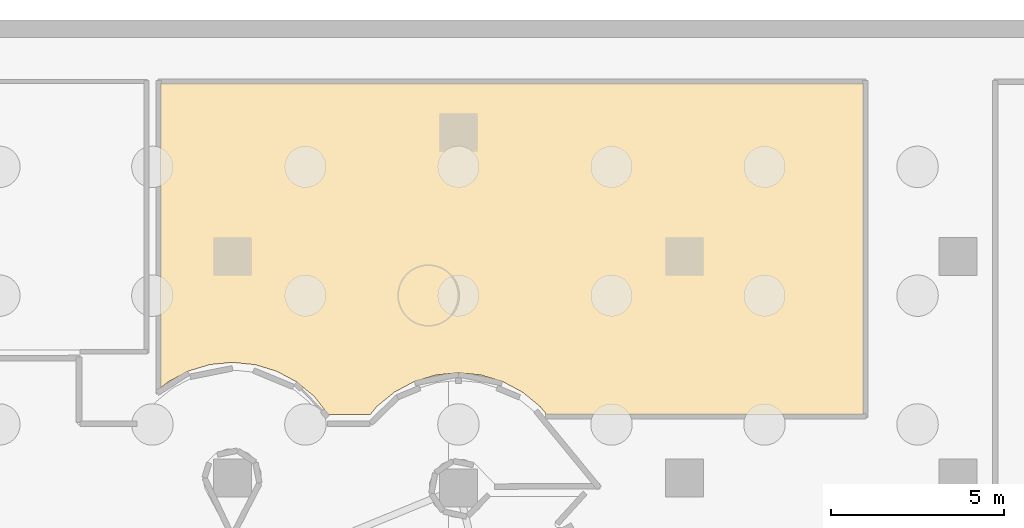
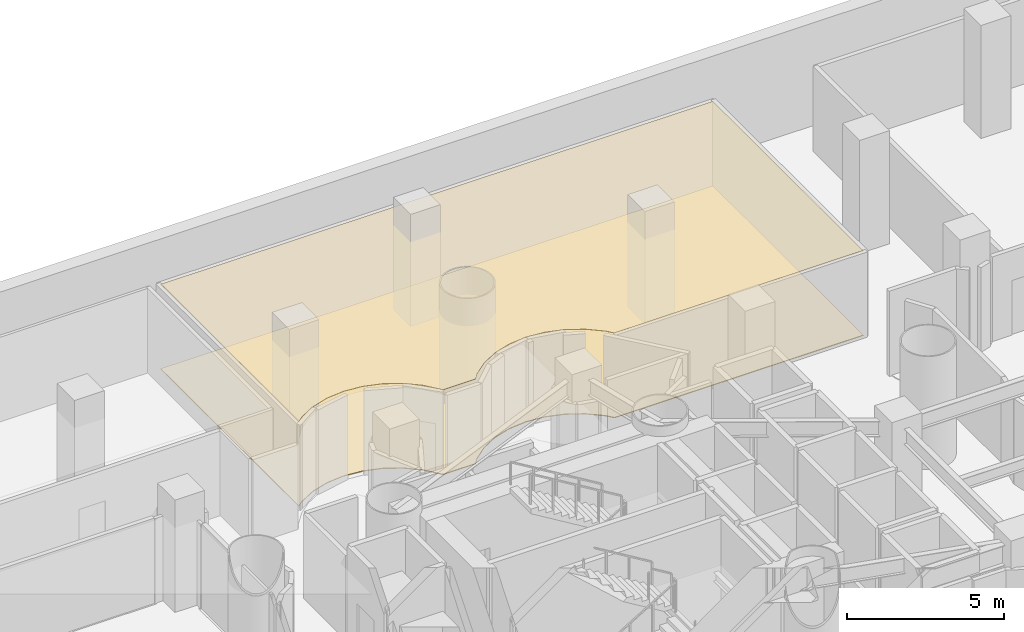
# One storey, part 12 of 13: 2 coverings.
"""IFC4 building model written with IfcOpenShell, lengths in metres."""

from ifc_helpers import new_model, si_unit, direction, frame, origin, place, context, subcontext, project, spatial, polyline, outline, extrude, material, layer, layer_set, type_object, element, save


model = new_model("IFC4")

# Units and contexts
model_context = context("Model", 3, precision=1e-05, world=origin(), true_north=direction((0.0, 1.0)))
body_context = subcontext(model_context, "Body", "Model", "MODEL_VIEW")
ifc_project = project(units=[si_unit("LENGTHUNIT", "METRE"), si_unit("AREAUNIT", "SQUARE_METRE"), si_unit("VOLUMEUNIT", "CUBIC_METRE"), si_unit("PLANEANGLEUNIT", "RADIAN"), si_unit("MASSUNIT", "GRAM", prefix="KILO")], contexts=[model_context])

# Site, building, storey
site_placement = place(None, origin())
site = spatial("IfcSite", under=ifc_project, at=site_placement, CompositionType="ELEMENT")
building_placement = place(site_placement, origin())
building = spatial("IfcBuilding", under=site, at=building_placement, Name="Qianvela Tower", CompositionType="ELEMENT")
storey_placement = place(building_placement, frame((0.0, 0.0, -10.0)))
storey = spatial("IfcBuildingStorey", under=building, at=storey_placement, Name="B02", CompositionType="ELEMENT", Elevation=-10.0)

# Coverings
ifc_material_1 = material(Name="Perforated Mineral Acoustic Ceiling Tile")
ifc_layer_1 = layer(ifc_material_1, 0.02490234375)
ifc_layer_set_1 = layer_set([ifc_layer_1], Name="Perforated Mineral Acoustic Ceiling Tile")
covering_type_1 = type_object("IfcCoveringType", Name="COV-CEIL-ACOUSTIC-25", PredefinedType="CEILING", material=ifc_layer_set_1)
covering_1_placement = place(storey_placement, frame((0.0, 0.0, 3.294921875)))
element("IfcCovering", 1, at=covering_1_placement, inside=storey, type_object=covering_type_1, Name="B02 Acoustic Ceiling B02 Greywater Treatment and Booster Pump Room", PredefinedType="CEILING", context=body_context, shape_type="SweptSolid", body=[
    extrude(outline(polyline([(49.219970703125, 39.330078125), (40.055419921875, 39.330078125), (39.868408203125, 39.557373046875), (39.863037109375, 39.563232421875), (39.857421875, 39.568359375), (39.367919921875, 39.970458984375), (39.36181640625, 39.97509765625), (39.35498046875, 39.97900390625), (38.791748046875, 40.281494140625), (38.784423828125, 40.284912109375), (38.777099609375, 40.28759765625), (38.15966796875, 40.475830078125), (38.152099609375, 40.477783203125), (38.144287109375, 40.47900390625), (37.5078125, 40.54150390625), (37.5, 40.5419921875), (37.4921875, 40.54150390625), (36.855712890625, 40.47900390625), (36.847900390625, 40.477783203125), (36.84033203125, 40.475830078125), (36.222900390625, 40.28759765625), (36.215576171875, 40.284912109375), (36.208251953125, 40.281494140625), (35.64501953125, 39.97900390625), (35.63818359375, 39.97509765625), (35.632080078125, 39.970458984375), (35.142578125, 39.568359375), (35.136962890625, 39.563232421875), (35.131591796875, 39.557373046875), (34.944580078125, 39.330078125), (33.739990234375, 39.330078125), (33.32470703125, 39.856201171875), (33.319091796875, 39.862548828125), (33.3125, 39.868408203125), (32.81298828125, 40.27734375), (32.806884765625, 40.281982421875), (32.800048828125, 40.285888671875), (32.241455078125, 40.584228515625), (32.234375, 40.587646484375), (32.22705078125, 40.590087890625), (31.620849609375, 40.7744140625), (31.61328125, 40.7763671875), (31.605712890625, 40.77734375), (30.96337890625, 40.841552734375), (30.95556640625, 40.842041015625), (30.947509765625, 40.841552734375), (30.311279296875, 40.77880859375), (30.303466796875, 40.77783203125), (30.2958984375, 40.77587890625), (29.683837890625, 40.59033203125), (29.676513671875, 40.587646484375), (29.66943359375, 40.584228515625), (29.10546875, 40.28271484375), (29.0986328125, 40.27880859375), (29.09228515625, 40.274169921875), (28.8798828125, 40.10009765625), (28.8798828125, 48.919921875), (49.219970703125, 48.919921875), (49.219970703125, 39.330078125)])), origin(), (0.0, 0.0, 1.0), 0.025146484375),
])
ifc_material_2 = material(Name="Honed Stone Terrazzo Flooring", Category="masonry")
ifc_layer_2 = layer(ifc_material_2, 0.030029296875)
ifc_layer_set_2 = layer_set([ifc_layer_2], Name="Honed Stone Terrazzo Flooring")
covering_type_2 = type_object("IfcCoveringType", Name="COV-FLOOR-TERRAZZO-30", PredefinedType="FLOORING", material=ifc_layer_set_2)
covering_2_placement = place(storey_placement, origin())
element("IfcCovering", 2, at=covering_2_placement, inside=storey, type_object=covering_type_2, Name="B02 Finish Flooring B02 Greywater Treatment and Booster Pump Room", PredefinedType="FLOORING", context=body_context, shape_type="SweptSolid", body=[
    extrude(outline(polyline([(49.219970703125, 39.330078125), (40.055419921875, 39.330078125), (39.868408203125, 39.557373046875), (39.863037109375, 39.563232421875), (39.857421875, 39.568359375), (39.367919921875, 39.970458984375), (39.36181640625, 39.97509765625), (39.35498046875, 39.97900390625), (38.791748046875, 40.281494140625), (38.784423828125, 40.284912109375), (38.777099609375, 40.28759765625), (38.15966796875, 40.475830078125), (38.152099609375, 40.477783203125), (38.144287109375, 40.47900390625), (37.5078125, 40.54150390625), (37.5, 40.5419921875), (37.4921875, 40.54150390625), (36.855712890625, 40.47900390625), (36.847900390625, 40.477783203125), (36.84033203125, 40.475830078125), (36.222900390625, 40.28759765625), (36.215576171875, 40.284912109375), (36.208251953125, 40.281494140625), (35.64501953125, 39.97900390625), (35.63818359375, 39.97509765625), (35.632080078125, 39.970458984375), (35.142578125, 39.568359375), (35.136962890625, 39.563232421875), (35.131591796875, 39.557373046875), (34.944580078125, 39.330078125), (33.739990234375, 39.330078125), (33.32470703125, 39.856201171875), (33.319091796875, 39.862548828125), (33.3125, 39.868408203125), (32.81298828125, 40.27734375), (32.806884765625, 40.281982421875), (32.800048828125, 40.285888671875), (32.241455078125, 40.584228515625), (32.234375, 40.587646484375), (32.22705078125, 40.590087890625), (31.620849609375, 40.7744140625), (31.61328125, 40.7763671875), (31.605712890625, 40.77734375), (30.96337890625, 40.841552734375), (30.95556640625, 40.842041015625), (30.947509765625, 40.841552734375), (30.311279296875, 40.77880859375), (30.303466796875, 40.77783203125), (30.2958984375, 40.77587890625), (29.683837890625, 40.59033203125), (29.676513671875, 40.587646484375), (29.66943359375, 40.584228515625), (29.10546875, 40.28271484375), (29.0986328125, 40.27880859375), (29.09228515625, 40.274169921875), (28.8798828125, 40.10009765625), (28.8798828125, 48.919921875), (49.219970703125, 48.919921875), (49.219970703125, 39.330078125)])), origin(), (0.0, 0.0, 1.0), 0.030029296875),
])

save(model, "model.ifc")
